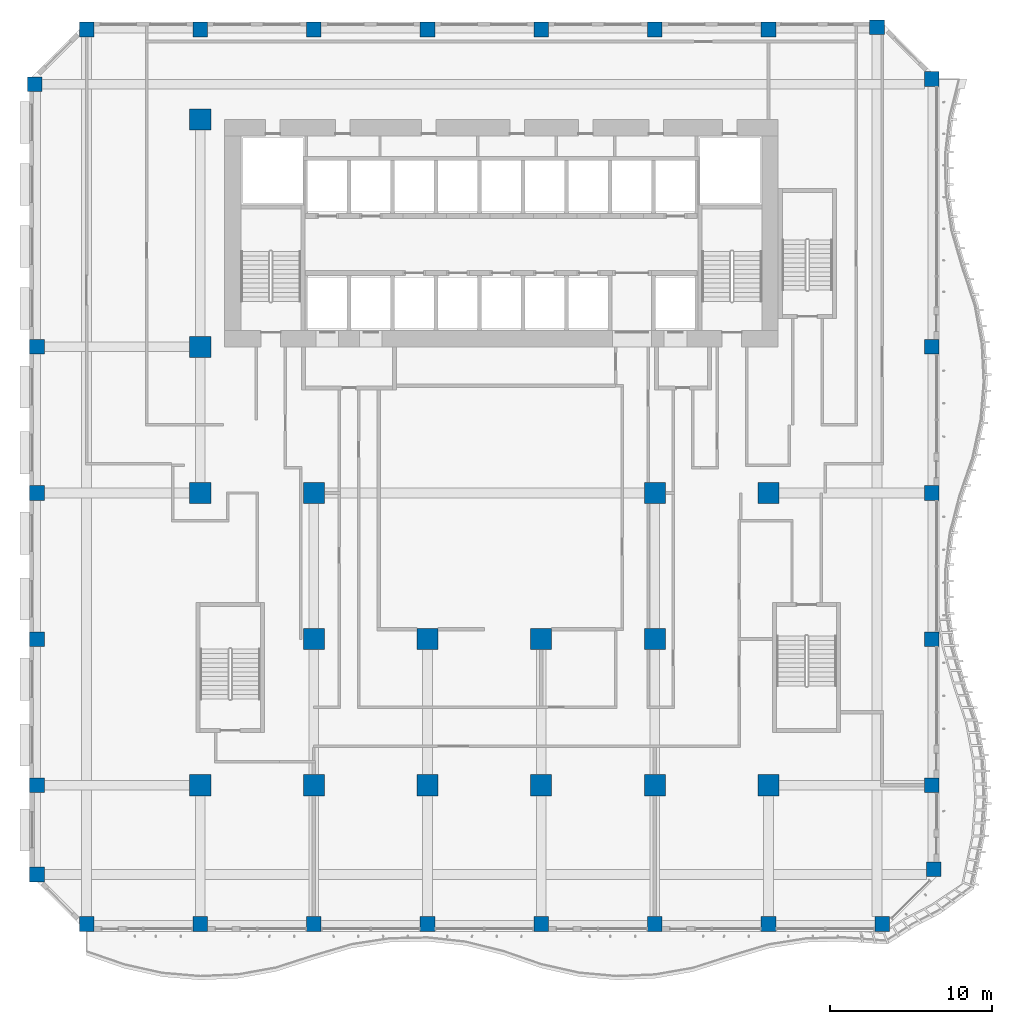
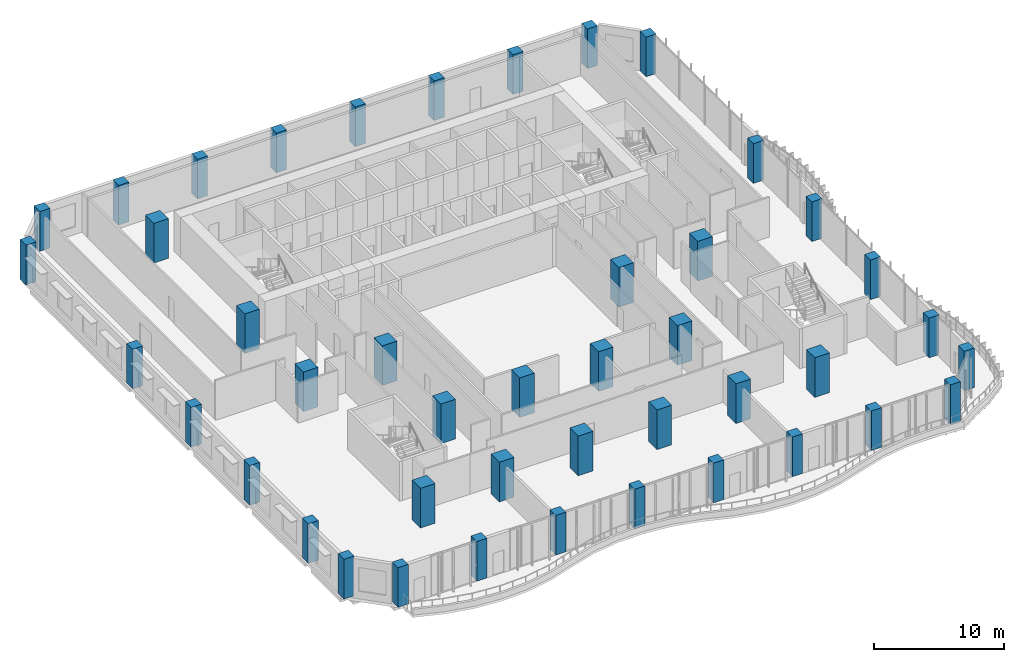
# One storey, part 1 of 27: 44 columns.
"""IFC4 building model written with IfcOpenShell, lengths in metres."""

from ifc_helpers import new_model, si_unit, direction, frame, origin, origin_2d, place, context, subcontext, project, spatial, rectangle, extrude, source, transform, mapped, material, material_profile, profile_set, type_object, element, save


model = new_model("IFC4")

# Units and contexts
model_context = context("Model", 3, precision=1e-05, world=origin(), true_north=direction((0.0, 1.0)))
body_context = subcontext(model_context, "Body", "Model", "MODEL_VIEW")
ifc_project = project(units=[si_unit("LENGTHUNIT", "METRE"), si_unit("AREAUNIT", "SQUARE_METRE"), si_unit("VOLUMEUNIT", "CUBIC_METRE"), si_unit("PLANEANGLEUNIT", "RADIAN"), si_unit("MASSUNIT", "GRAM", prefix="KILO")], contexts=[model_context])

# Site, building, storey
site_placement = place(None, origin())
site = spatial("IfcSite", under=ifc_project, at=site_placement, CompositionType="ELEMENT")
building_placement = place(site_placement, origin())
building = spatial("IfcBuilding", under=site, at=building_placement, Name="Kilnfold Tower and Market Hall", CompositionType="ELEMENT")
storey_placement = place(building_placement, frame((0.0, 0.0, 47.0)))
storey = spatial("IfcBuildingStorey", under=building, at=storey_placement, Name="L10", CompositionType="ELEMENT", Elevation=47.0)

# Columns
ifc_material_1 = material(Name="Concrete C80", Category="concrete")
ifc_material_profile_1 = material_profile(ifc_material_1, rectangle(XDim=0.89990234375, YDim=0.89990234375, at=origin_2d()), Name="RC 900x900")
ifc_profile_set_1 = profile_set([ifc_material_profile_1], Name="Concrete C80")
column_type_1 = type_object("IfcColumnType", Name="COLUMN 900X900 C80", PredefinedType="COLUMN", material=ifc_profile_set_1)
shared_shape_1 = source(origin(), body_context, "Body", "SweptSolid", [
    extrude(rectangle(XDim=0.89990234375, YDim=0.89990234375, at=origin_2d()), origin(), (0.0, 0.0, 1.0), 3.719970703125),
])
for number, where, z_axis, x_axis, name in (
    (1, (-27.681884765625, 24.181884765625, 0.0), (0.0, 0.0, 1.0), (1.0, 0.0, 0.0), "Column C-B1-1H"),
    (2, (-27.550048828125, -24.5, 0.0), (0.0, 0.0, 1.0), (1.0, 0.0, 0.0), "Column C-B1-1B"),
    (3, (-27.550048828125, -19.0, 0.0), (0.0, 0.0, 1.0), (1.0, 0.0, 0.0), "Column C-B1-1C"),
    (4, (-27.550048828125, -10.0, 0.0), (0.0, 0.0, 1.0), (1.0, 0.0, 0.0), "Column C-B1-1D"),
    (5, (-27.550048828125, -1.0, 0.0), (0.0, 0.0, 1.0), (1.0, 0.0, 0.0), "Column C-B1-1E"),
    (6, (-27.550048828125, 8.0, 0.0), (0.0, 0.0, 1.0), (1.0, 0.0, 0.0), "Column C-B1-1F"),
    (7, (-24.5, -27.550048828125, 0.0), (0.0, 0.0, 1.0), (1.0, 0.0, 0.0), "Column C-B1-2A"),
    (8, (-24.5, 27.550048828125, 0.0), (0.0, 0.0, 1.0), (1.0, 0.0, 0.0), "Column C-B1-2I"),
    (9, (-17.5, -27.550048828125, 0.0), (0.0, 0.0, 1.0), (1.0, 0.0, 0.0), "Column C-B1-3A"),
    (10, (-17.5, 27.550048828125, 0.0), (0.0, 0.0, 1.0), (1.0, 0.0, 0.0), "Column C-B1-3I"),
    (11, (-10.5, -27.550048828125, 0.0), (0.0, 0.0, 1.0), (1.0, 0.0, 0.0), "Column C-B1-4A"),
    (12, (-10.5, 27.550048828125, 0.0), (0.0, 0.0, 1.0), (1.0, 0.0, 0.0), "Column C-B1-4I"),
    (13, (-3.5, -27.550048828125, 0.0), (0.0, 0.0, 1.0), (1.0, 0.0, 0.0), "Column C-B1-5A"),
    (14, (-3.5, 27.550048828125, 0.0), (0.0, 0.0, 1.0), (1.0, 0.0, 0.0), "Column C-B1-5I"),
    (15, (3.5, -27.550048828125, 0.0), (0.0, 0.0, 1.0), (1.0, 0.0, 0.0), "Column C-B1-6A"),
    (16, (3.5, 27.550048828125, 0.0), (0.0, 0.0, 1.0), (1.0, 0.0, 0.0), "Column C-B1-6I"),
    (17, (10.5, -27.550048828125, 0.0), (0.0, 0.0, 1.0), (1.0, 0.0, 0.0), "Column C-B1-7A"),
    (18, (10.5, 27.550048828125, 0.0), (0.0, 0.0, 1.0), (1.0, 0.0, 0.0), "Column C-B1-7I"),
    (19, (17.5, -27.550048828125, 0.0), (0.0, 0.0, 1.0), (1.0, 0.0, 0.0), "Column C-B1-8A"),
    (20, (17.5, 27.550048828125, 0.0), (0.0, 0.0, 1.0), (1.0, 0.0, 0.0), "Column C-B1-8I"),
    (21, (24.181884765625, 27.681884765625, 0.0), (0.0, 0.0, 1.0), (1.0, 0.0, 0.0), "Column C-B1-9I"),
    (22, (24.5, -27.550048828125, 0.0), (0.0, 0.0, 1.0), (1.0, 0.0, 0.0), "Column C-B1-9A"),
    (23, (27.550048828125, -19.0, 0.0), (0.0, 0.0, 1.0), (1.0, 0.0, 0.0), "Column C-B1-10C"),
    (24, (27.550048828125, -10.0, 0.0), (0.0, 0.0, 1.0), (1.0, 0.0, 0.0), "Column C-B1-10D"),
    (25, (27.550048828125, -1.0, 0.0), (0.0, 0.0, 1.0), (1.0, 0.0, 0.0), "Column C-B1-10E"),
    (26, (27.550048828125, 8.0, 0.0), (0.0, 0.0, 1.0), (1.0, 0.0, 0.0), "Column C-B1-10F"),
    (27, (27.550048828125, 24.5, 0.0), (0.0, 0.0, 1.0), (1.0, 0.0, 0.0), "Column C-B1-10H"),
    (28, (27.681884765625, -24.181884765625, 0.0), (0.0, 0.0, 1.0), (1.0, 0.0, 0.0), "Column C-B1-10B"),
):
    element("IfcColumn", number, at=place(storey_placement, frame(where, z_axis=z_axis, x_axis=x_axis)), inside=storey, type_object=column_type_1, Name=name, PredefinedType="COLUMN", context=body_context, shape_type="MappedRepresentation", body=[
        mapped(shared_shape_1, transform((0.0, 0.0, 0.0))),
    ])
ifc_material_2 = material(Name="Concrete C80", Category="concrete")
ifc_material_profile_2 = material_profile(ifc_material_2, rectangle(XDim=1.300048828125, YDim=1.300048828125, at=origin_2d()), Name="RC 1300x1300")
ifc_profile_set_2 = profile_set([ifc_material_profile_2], Name="Concrete C80")
column_type_2 = type_object("IfcColumnType", Name="COLUMN 1300X1300 C80", PredefinedType="COLUMN", material=ifc_profile_set_2)
shared_shape_2 = source(origin(), body_context, "Body", "SweptSolid", [
    extrude(rectangle(XDim=1.300048828125, YDim=1.300048828125, at=origin_2d()), origin(), (0.0, 0.0, 1.0), 3.719970703125),
])
for number, where, z_axis, x_axis, name in (
    (29, (-17.5, -19.0, 0.0), (0.0, 0.0, 1.0), (1.0, 0.0, 0.0), "Column C-B1-3C"),
    (30, (-17.5, -1.0, 0.0), (0.0, 0.0, 1.0), (1.0, 0.0, 0.0), "Column C-B1-3E"),
    (31, (-17.5, 8.0, 0.0), (0.0, 0.0, 1.0), (1.0, 0.0, 0.0), "Column C-B1-3F"),
    (32, (-17.5, 22.0, 0.0), (0.0, 0.0, 1.0), (1.0, 0.0, 0.0), "Column C-B1-3G"),
    (33, (-10.5, -19.0, 0.0), (0.0, 0.0, 1.0), (1.0, 0.0, 0.0), "Column C-B1-4C"),
    (34, (-10.5, -10.0, 0.0), (0.0, 0.0, 1.0), (1.0, 0.0, 0.0), "Column C-B1-4D"),
    (35, (-10.5, -1.0, 0.0), (0.0, 0.0, 1.0), (1.0, 0.0, 0.0), "Column C-B1-4E"),
    (36, (-3.5, -19.0, 0.0), (0.0, 0.0, 1.0), (1.0, 0.0, 0.0), "Column C-B1-5C"),
    (37, (-3.5, -10.0, 0.0), (0.0, 0.0, 1.0), (1.0, 0.0, 0.0), "Column C-B1-5D"),
    (38, (3.5, -19.0, 0.0), (0.0, 0.0, 1.0), (1.0, 0.0, 0.0), "Column C-B1-6C"),
    (39, (3.5, -10.0, 0.0), (0.0, 0.0, 1.0), (1.0, 0.0, 0.0), "Column C-B1-6D"),
    (40, (10.5, -19.0, 0.0), (0.0, 0.0, 1.0), (1.0, 0.0, 0.0), "Column C-B1-7C"),
    (41, (10.5, -10.0, 0.0), (0.0, 0.0, 1.0), (1.0, 0.0, 0.0), "Column C-B1-7D"),
    (42, (10.5, -1.0, 0.0), (0.0, 0.0, 1.0), (1.0, 0.0, 0.0), "Column C-B1-7E"),
    (43, (17.5, -19.0, 0.0), (0.0, 0.0, 1.0), (1.0, 0.0, 0.0), "Column C-B1-8C"),
    (44, (17.5, -1.0, 0.0), (0.0, 0.0, 1.0), (1.0, 0.0, 0.0), "Column C-B1-8E"),
):
    element("IfcColumn", number, at=place(storey_placement, frame(where, z_axis=z_axis, x_axis=x_axis)), inside=storey, type_object=column_type_2, Name=name, PredefinedType="COLUMN", context=body_context, shape_type="MappedRepresentation", body=[
        mapped(shared_shape_2, transform((0.0, 0.0, 0.0))),
    ])

save(model, "model.ifc")
